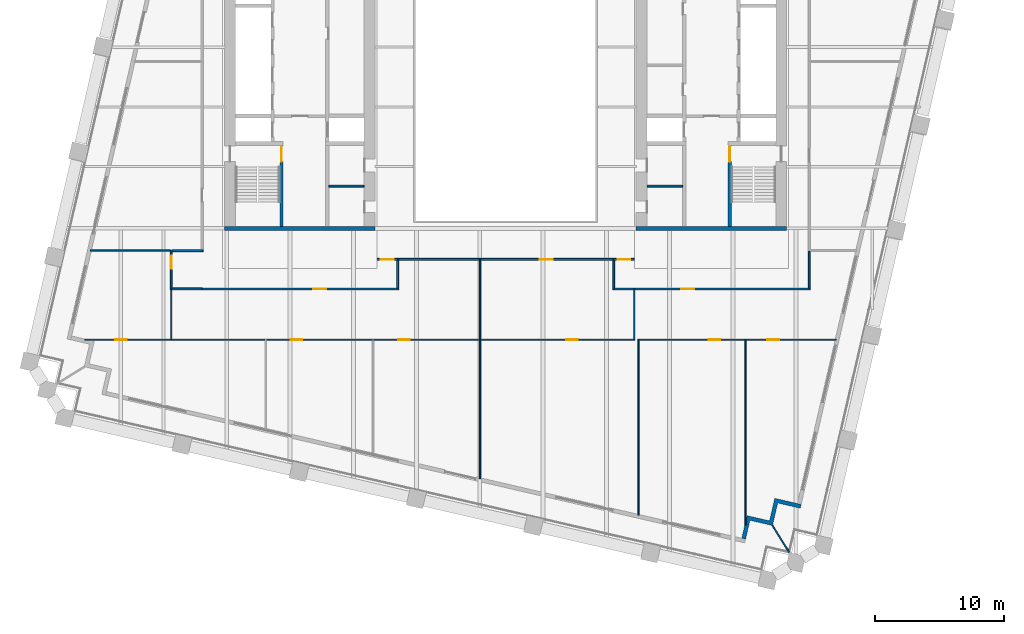
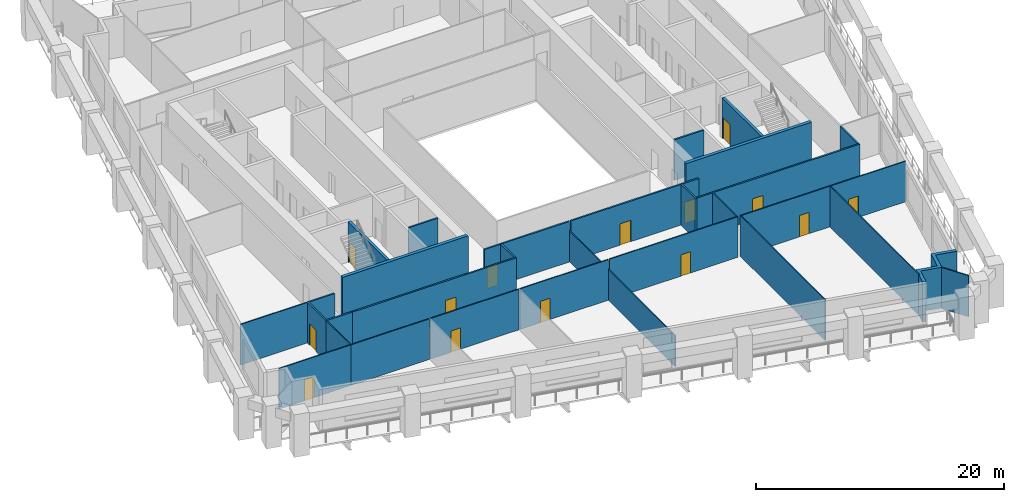
# One storey, part 4 of 10: 35 walls, 14 doors, 14 openings.
"""IFC4 building model written with IfcOpenShell, lengths in metres."""

import ifcopenshell
import ifcopenshell.guid

model = None  # the IFC model being written
_history = None  # IfcOwnerHistory: only IFC2X3 demands one
_inside = {}  # id of a spatial element -> (the spatial element, [elements in it])
_under = {}  # id of a project, library or spatial element -> (it, [spatial elements below it])
_declared = {}  # id of a project -> (the project, [libraries it declares])
_typed = {}  # id of a type object -> (the type object, [elements of that type])
_made_of = {}  # id of a material, layer set ... -> (it, [elements and type objects made of it])


def new_model(schema):
    """Start an empty IFC model of exactly this schema.

    Asked for "IFC4X3", IfcOpenShell would pick the latest addendum, in which some entities
    have other attributes; the version numbers below select the first issue.
    IFC2X3 requires an IfcOwnerHistory on every rooted entity: one is made here for all.
    """
    global model, _history
    if schema == "IFC4X3":
        model = ifcopenshell.file(schema_version=(4, 3, 0, 0))
    else:
        model = ifcopenshell.file(schema=schema)
    _inside.clear()
    _under.clear()
    _declared.clear()
    _typed.clear()
    _made_of.clear()
    _history = None
    if model.schema == "IFC2X3":
        org = make("IfcOrganization", Name="unknown")
        user = make(
            "IfcPersonAndOrganization",
            ThePerson=make("IfcPerson", FamilyName="unknown"),
            TheOrganization=org,
        )
        app = make(
            "IfcApplication",
            ApplicationDeveloper=org,
            Version="unknown",
            ApplicationFullName="unknown",
            ApplicationIdentifier="unknown",
        )
        _history = make(
            "IfcOwnerHistory",
            OwningUser=user,
            OwningApplication=app,
            ChangeAction="ADDED",
            CreationDate=0,
        )
    return model


def make(cls, **values):
    """One entity of the class cls with the attributes given. An attribute that is None is left unset."""
    return model.create_entity(
        cls, **{name: value for name, value in values.items() if value is not None}
    )


def rooted(cls, **values):
    """An entity with a GlobalId (a new one), such as an element, a storey or a relation."""
    return make(cls, GlobalId=ifcopenshell.guid.new(), OwnerHistory=_history, **values)


def si_unit(unit_type, name, prefix=None):
    """IfcSIUnit, for example si_unit("LENGTHUNIT", "METRE", prefix="MILLI")."""
    return make("IfcSIUnit", UnitType=unit_type, Prefix=prefix, Name=name)


def assignment(units):
    """IfcUnitAssignment: the units of a project."""
    return None if units is None else make("IfcUnitAssignment", Units=units)


def point(xyz):
    """IfcCartesianPoint."""
    return None if xyz is None else make("IfcCartesianPoint", Coordinates=xyz)


def direction(xyz):
    """IfcDirection."""
    return None if xyz is None else make("IfcDirection", DirectionRatios=xyz)


def frame(location, z_axis=None, x_axis=None):
    """IfcAxis2Placement3D, a coordinate frame: its origin and axes. An axis left out is left unset."""
    return make(
        "IfcAxis2Placement3D",
        Location=point(location),
        Axis=direction(z_axis),
        RefDirection=direction(x_axis),
    )


def frame_2d(location, x_axis=None):
    """IfcAxis2Placement2D, a coordinate frame in the plane: its origin and x axis."""
    return make(
        "IfcAxis2Placement2D", Location=point(location), RefDirection=direction(x_axis)
    )


def origin():
    """The frame at (0, 0, 0) with its axes left unset."""
    return frame((0.0, 0.0, 0.0))


def place(relative_to, where):
    """IfcLocalPlacement: puts the frame where relative to a parent placement (None: the world)."""
    return make(
        "IfcLocalPlacement", PlacementRelTo=relative_to, RelativePlacement=where
    )


def context(
    kind, dimensions, precision=None, world=None, true_north=None, identifier=None
):
    """IfcGeometricRepresentationContext, for example the 3D "Model" context."""
    return make(
        "IfcGeometricRepresentationContext",
        ContextIdentifier=identifier,
        ContextType=kind,
        CoordinateSpaceDimension=dimensions,
        Precision=precision,
        WorldCoordinateSystem=world,
        TrueNorth=true_north,
    )


def subcontext(parent, identifier, kind, view, scale=None):
    """IfcGeometricRepresentationSubContext, for example "Body" below "Model"."""
    return make(
        "IfcGeometricRepresentationSubContext",
        ContextIdentifier=identifier,
        ContextType=kind,
        ParentContext=parent,
        TargetScale=scale,
        TargetView=view,
    )


def project(units=None, contexts=None):
    """IfcProject with its units and contexts."""
    return rooted(
        "IfcProject",
        Name="project",
        RepresentationContexts=contexts,
        UnitsInContext=assignment(units),
    )


def spatial(cls, under=None, at=None, **own):
    """A site, building, storey or space (cls), placed at a placement, below another one or the project."""
    s = rooted(cls, ObjectPlacement=at, **own)
    if under is not None:
        _under.setdefault(under.id(), (under, []))[1].append(s)
    return s


def polyline(points):
    """IfcPolyline through the points."""
    return make("IfcPolyline", Points=[point(p) for p in points])


def profile(cls, at=None, kind="AREA", **sizes):
    """A parametric profile (cls). Its sizes go by their IFC names, for example OverallWidth=200.0."""
    return make(cls, ProfileType=kind, Position=at, **sizes)


def rectangle(**sizes):
    """IfcRectangleProfileDef."""
    return profile("IfcRectangleProfileDef", **sizes)


def outline(outer, holes=None, kind="AREA"):
    """IfcArbitraryClosedProfileDef: a profile drawn as a closed curve; with holes, ...WithVoids."""
    if holes is None:
        return make("IfcArbitraryClosedProfileDef", ProfileType=kind, OuterCurve=outer)
    return make(
        "IfcArbitraryProfileDefWithVoids",
        ProfileType=kind,
        OuterCurve=outer,
        InnerCurves=holes,
    )


def extrude(swept, where, along, depth):
    """IfcExtrudedAreaSolid: the profile swept, set in the frame where, extruded along a direction by depth."""
    return make(
        "IfcExtrudedAreaSolid",
        SweptArea=swept,
        Position=where,
        ExtrudedDirection=direction(along),
        Depth=depth,
    )


def shape(context_of_items, identifier, shape_type, items):
    """IfcShapeRepresentation: the items that make up one representation, for example the "Body"."""
    return make(
        "IfcShapeRepresentation",
        ContextOfItems=context_of_items,
        RepresentationIdentifier=identifier,
        RepresentationType=shape_type,
        Items=items,
    )


def material(Name=None, Category=None):
    """IfcMaterial."""
    return make("IfcMaterial", Name=Name, Category=Category)


def layer(
    of_material, thickness, ventilated=None, Name=None, Category=None, Priority=None
):
    """IfcMaterialLayer: one layer of a wall or slab, of a material (None: an air gap)."""
    return make(
        "IfcMaterialLayer",
        Material=of_material,
        LayerThickness=thickness,
        IsVentilated=ventilated,
        Name=Name,
        Category=Category,
        Priority=Priority,
    )


def layer_set(layers, Name=None):
    """IfcMaterialLayerSet."""
    return make("IfcMaterialLayerSet", MaterialLayers=layers, LayerSetName=Name)


def made_of(thing, what):
    """Note that an element or type object is made of a material, layer set ...; save() writes the relation."""
    if what is not None:
        _made_of.setdefault(what.id(), (what, []))[1].append(thing)
    return thing


def type_object(cls, material=None, **own):
    """A type object (cls), such as IfcWallType, which elements share."""
    return made_of(rooted(cls, **own), material)


def element(
    cls,
    number,
    at=None,
    inside=None,
    cuts=None,
    type_object=None,
    material=None,
    context=None,
    identifier="Body",
    shape_type=None,
    held_by="IfcProductDefinitionShape",
    body=None,
    shapes=None,
    **own,
):
    """One element of the class cls, such as IfcWall. Its Tag is "e" and its number.

    at: its placement. inside: the storey or other place that contains it. cuts: it is an
    opening in that element (IfcRelVoidsElement). A single representation is given by context,
    identifier, shape_type and body (its items); several are given by shapes. held_by: the class
    of the entity that holds the representations. save() writes the other relations.
    """
    e = rooted(cls, Tag="e%d" % number, ObjectPlacement=at, **own)
    if body is not None:
        shapes = [shape(context, identifier, shape_type, body)]
    if shapes is not None:
        e.Representation = make(held_by, Representations=shapes)
    if inside is not None:
        _inside.setdefault(inside.id(), (inside, []))[1].append(e)
    if cuts is not None:
        rooted(
            "IfcRelVoidsElement", RelatingBuildingElement=cuts, RelatedOpeningElement=e
        )
    if type_object is not None:
        _typed.setdefault(type_object.id(), (type_object, []))[1].append(e)
    return made_of(e, material)


def fill(opening, filler):
    """IfcRelFillsElement: the door or window that sits in an opening."""
    return rooted(
        "IfcRelFillsElement",
        RelatingOpeningElement=opening,
        RelatedBuildingElement=filler,
    )


def aggregate(whole, parts):
    """IfcRelAggregates: a whole, such as a stair, and the parts it consists of."""
    return rooted("IfcRelAggregates", RelatingObject=whole, RelatedObjects=parts)


def save(model, path):
    """Write the relations noted so far, then the file.

    IfcRelAggregates (storeys below a building ...), IfcRelContainedInSpatialStructure (elements
    in a storey), IfcRelDefinesByType, IfcRelAssociatesMaterial and IfcRelDeclares: one each for
    every whole, place, type object, material and project.
    """
    for whole, parts in _under.values():
        aggregate(whole, parts)
    for where, things in _inside.values():
        rooted(
            "IfcRelContainedInSpatialStructure",
            RelatedElements=things,
            RelatingStructure=where,
        )
    for kind, things in _typed.values():
        rooted("IfcRelDefinesByType", RelatedObjects=things, RelatingType=kind)
    for what, things in _made_of.values():
        rooted("IfcRelAssociatesMaterial", RelatedObjects=things, RelatingMaterial=what)
    for by, libraries in _declared.values():
        rooted("IfcRelDeclares", RelatingContext=by, RelatedDefinitions=libraries)
    model.write(path)


model = new_model("IFC4")

# Units and contexts
model_context = context("Model", 3, precision=1e-05, world=origin(), true_north=direction((0.0, 1.0)))
body_context = subcontext(model_context, "Body", "Model", "MODEL_VIEW")
ifc_project = project(units=[si_unit("LENGTHUNIT", "METRE"), si_unit("AREAUNIT", "SQUARE_METRE"), si_unit("VOLUMEUNIT", "CUBIC_METRE"), si_unit("PLANEANGLEUNIT", "RADIAN"), si_unit("MASSUNIT", "GRAM", prefix="KILO")], contexts=[model_context])

# Site, building, storey
site_placement = place(None, origin())
site = spatial("IfcSite", under=ifc_project, at=site_placement, CompositionType="ELEMENT")
building_placement = place(site_placement, origin())
building = spatial("IfcBuilding", under=site, at=building_placement, Name="Ogive Exchange Tower", CompositionType="ELEMENT")
storey_placement = place(building_placement, frame((0.0, 0.0, 143.39990234375)))
storey = spatial("IfcBuildingStorey", under=building, at=storey_placement, Name="L31", CompositionType="ELEMENT", Elevation=143.39990234375)

# Walls
ifc_material_1 = material(Name="Gypsum board partition")
ifc_layer_1 = layer(ifc_material_1, 0.14990234375)
ifc_layer_set_1 = layer_set([ifc_layer_1], Name="Core room partition 150 gypsum")
wall_type_1 = type_object("IfcWallType", Name="Core room partition 150 gypsum", PredefinedType="PARTITIONING", material=ifc_layer_set_1)
for number, where, z_axis, x_axis, name in (
    (1, (-13.75, 0.699951171875, 0.0), (0.0, 0.0, 1.0), (1.0, 0.0, 0.0), "W south room partition"),
    (2, (11.0, 0.699951171875, 0.0), (0.0, 0.0, 1.0), (1.0, 0.0, 0.0), "E south room partition"),
):
    element("IfcWall", number, at=place(storey_placement, frame(where, z_axis=z_axis, x_axis=x_axis)), inside=storey, type_object=wall_type_1, Name=name, PredefinedType="PARTITIONING", context=body_context, shape_type="SweptSolid", body=[
        extrude(rectangle(XDim=2.75, YDim=0.14990234375, at=frame_2d((1.375, 0.0))), origin(), (0.0, 0.0, 1.0), 4.0),
    ])

# Wall, opening, door
ifc_material_2 = material(Name="Fire partition EI 60 150")
ifc_layer_2 = layer(ifc_material_2, 0.14990234375)
ifc_layer_set_2 = layer_set([ifc_layer_2], Name="Fire partition EI 60 150")
wall_type_2 = type_object("IfcWallType", Name="Fire partition EI 60 150", PredefinedType="PARTITIONING", material=ifc_layer_set_2)
wall_1_placement = place(storey_placement, frame((-26.0, -7.364990234375, 0.0), z_axis=(0.0, 0.0, 1.0), x_axis=(0.0, 1.0, 0.0)))
wall_1 = element("IfcWall", 3, at=wall_1_placement, inside=storey, type_object=wall_type_2, Name="L31-PWL-003", PredefinedType="PARTITIONING", context=body_context, shape_type="SweptSolid", body=[
    extrude(rectangle(XDim=3.094970703125, YDim=0.14990234375, at=frame_2d((1.54736328125, 0.0))), origin(), (0.0, 0.0, 1.0), 4.0),
])
opening_1_placement = place(wall_1_placement, frame((1.64501953125, 0.0, 0.0)))
opening_1 = element("IfcOpeningElement", 4, at=opening_1_placement, cuts=wall_1, Name="Opening L31-I16", PredefinedType="OPENING", context=body_context, shape_type="SweptSolid", body=[
    extrude(rectangle(XDim=1.0, YDim=2.10009765625, at=frame_2d((0.5, 1.050048828125))), frame((0.0, 0.0849609375, 0.0), z_axis=(0.0, -1.0, 0.0), x_axis=(1.0, 0.0, 0.0)), (0.0, 0.0, 1.0), 0.169921875),
])
ifc_material_3 = material(Name="Fire door FD 30S 1000 x 2100")
door_type_1 = type_object("IfcDoorType", Name="Fire door FD 30S 1000 x 2100", OperationType="NOTDEFINED", PredefinedType="DOOR", material=ifc_material_3)
door_1_placement = place(opening_1_placement, origin())
door_1 = element("IfcDoor", 5, at=door_1_placement, inside=storey, type_object=door_type_1, Name="L31-IDR-016", ObjectType="DT3", OperationType="SINGLE_SWING_LEFT", OverallHeight=2.10009765625, OverallWidth=1.0, PredefinedType="DOOR", context=body_context, shape_type="SweptSolid", body=[
    extrude(rectangle(XDim=1.0, YDim=2.10009765625, at=frame_2d((0.5, 1.050048828125))), frame((0.0, 0.02490234375, 0.0), z_axis=(0.0, -1.0, 0.0), x_axis=(1.0, 0.0, 0.0)), (0.0, 0.0, 1.0), 0.050048828125),
])
fill(opening_1, door_1)

# Walls
wall_2_placement = place(storey_placement, frame((-25.925048828125, -4.320068359375, 0.0), z_axis=(0.0, 0.0, 1.0), x_axis=(1.0, 0.0, 0.0)))
element("IfcWall", 6, at=wall_2_placement, inside=storey, type_object=wall_type_2, Name="L31-PWL-005", PredefinedType="PARTITIONING", context=body_context, shape_type="SweptSolid", body=[
    extrude(rectangle(XDim=2.400146484375, YDim=0.14990234375, at=frame_2d((1.2001953125, 0.0))), origin(), (0.0, 0.0, 1.0), 4.0),
])
wall_3_placement = place(storey_placement, frame((-23.60009765625, -7.2900390625, 0.0), z_axis=(0.0, 0.0, 1.0), x_axis=(-1.0, 0.0, 0.0)))
element("IfcWall", 7, at=wall_3_placement, inside=storey, type_object=wall_type_2, Name="L31-PWL-007", PredefinedType="PARTITIONING", context=body_context, shape_type="SweptSolid", body=[
    extrude(rectangle(XDim=2.349853515625, YDim=0.14990234375, at=frame_2d((1.1748046875, 0.0))), origin(), (0.0, 0.0, 1.0), 4.0),
])

# Wall, opening, door
wall_4_placement = place(storey_placement, frame((-8.324951171875, -7.300048828125, 0.0), z_axis=(0.0, 0.0, 1.0), x_axis=(-1.0, 0.0, 0.0)))
wall_4 = element("IfcWall", 8, at=wall_4_placement, inside=storey, type_object=wall_type_2, Name="L31-PWL-021", PredefinedType="PARTITIONING", context=body_context, shape_type="SweptSolid", body=[
    extrude(rectangle(XDim=15.275146484375, YDim=0.14990234375, at=frame_2d((7.6376953125, 0.0))), origin(), (0.0, 0.0, 1.0), 4.0),
])
opening_2_placement = place(wall_4_placement, frame((5.625, 0.0, 0.0)))
opening_2 = element("IfcOpeningElement", 9, at=opening_2_placement, cuts=wall_4, Name="Opening L31-I15", PredefinedType="OPENING", context=body_context, shape_type="SweptSolid", body=[
    extrude(rectangle(XDim=1.0, YDim=2.10009765625, at=frame_2d((0.5, 1.050048828125))), frame((0.0, 0.0849609375, 0.0), z_axis=(0.0, -1.0, 0.0), x_axis=(1.0, 0.0, 0.0)), (0.0, 0.0, 1.0), 0.169921875),
])
door_2_placement = place(opening_2_placement, origin())
door_2 = element("IfcDoor", 10, at=door_2_placement, inside=storey, type_object=door_type_1, Name="L31-IDR-015", ObjectType="DT3", OperationType="SINGLE_SWING_LEFT", OverallHeight=2.10009765625, OverallWidth=1.0, PredefinedType="DOOR", context=body_context, shape_type="SweptSolid", body=[
    extrude(rectangle(XDim=1.0, YDim=2.10009765625, at=frame_2d((0.5, 1.050048828125))), frame((0.0, 0.02490234375, 0.0), z_axis=(0.0, -1.0, 0.0), x_axis=(1.0, 0.0, 0.0)), (0.0, 0.0, 1.0), 0.050048828125),
])
fill(opening_2, door_2)

# Walls
wall_5_placement = place(storey_placement, frame((-8.39990234375, -4.925048828125, 0.0), z_axis=(0.0, 0.0, 1.0), x_axis=(0.0, -1.0, 0.0)))
element("IfcWall", 11, at=wall_5_placement, inside=storey, type_object=wall_type_2, Name="L31-PWL-022", PredefinedType="PARTITIONING", context=body_context, shape_type="SweptSolid", body=[
    extrude(rectangle(XDim=2.300048828125, YDim=0.14990234375, at=frame_2d((1.14990234375, 0.0))), origin(), (0.0, 0.0, 1.0), 4.0),
])
wall_6_placement = place(storey_placement, frame((-2.0400390625, -5.0, 0.0), z_axis=(0.0, 0.0, 1.0), x_axis=(-1.0, 0.0, 0.0)))
element("IfcWall", 12, at=wall_6_placement, inside=storey, type_object=wall_type_2, Name="L31-PWL-036", PredefinedType="PARTITIONING", context=body_context, shape_type="SweptSolid", body=[
    extrude(rectangle(XDim=6.284912109375, YDim=0.14990234375, at=frame_2d((3.142578125, 0.0))), origin(), (0.0, 0.0, 1.0), 4.0),
])
wall_7_placement = place(storey_placement, frame((8.39990234375, -7.375, 0.0), z_axis=(0.0, 0.0, 1.0), x_axis=(0.0, 1.0, 0.0)))
element("IfcWall", 13, at=wall_7_placement, inside=storey, type_object=wall_type_2, Name="L31-PWL-041", PredefinedType="PARTITIONING", context=body_context, shape_type="SweptSolid", body=[
    extrude(rectangle(XDim=2.449951171875, YDim=0.14990234375, at=frame_2d((1.22509765625, 0.0))), origin(), (0.0, 0.0, 1.0), 4.0),
])

# Wall, opening, door
wall_8_placement = place(storey_placement, frame((8.324951171875, -5.0, 0.0), z_axis=(0.0, 0.0, 1.0), x_axis=(-1.0, 0.0, 0.0)))
wall_8 = element("IfcWall", 14, at=wall_8_placement, inside=storey, type_object=wall_type_2, Name="L31-PWL-042", PredefinedType="PARTITIONING", context=body_context, shape_type="SweptSolid", body=[
    extrude(rectangle(XDim=10.264892578125, YDim=0.14990234375, at=frame_2d((5.13232421875, 0.0))), origin(), (0.0, 0.0, 1.0), 4.0),
])
opening_3_placement = place(wall_8_placement, frame((4.6650390625, 0.0, 0.0)))
opening_3 = element("IfcOpeningElement", 15, at=opening_3_placement, cuts=wall_8, Name="Opening L31-I14", PredefinedType="OPENING", context=body_context, shape_type="SweptSolid", body=[
    extrude(rectangle(XDim=1.0, YDim=2.10009765625, at=frame_2d((0.5, 1.050048828125))), frame((0.0, 0.0849609375, 0.0), z_axis=(0.0, -1.0, 0.0), x_axis=(1.0, 0.0, 0.0)), (0.0, 0.0, 1.0), 0.169921875),
])
door_3_placement = place(opening_3_placement, origin())
door_3 = element("IfcDoor", 16, at=door_3_placement, inside=storey, type_object=door_type_1, Name="L31-IDR-014", ObjectType="DT3", OperationType="SINGLE_SWING_LEFT", OverallHeight=2.10009765625, OverallWidth=1.0, PredefinedType="DOOR", context=body_context, shape_type="SweptSolid", body=[
    extrude(rectangle(XDim=1.0, YDim=2.10009765625, at=frame_2d((0.5, 1.050048828125))), frame((0.0, 0.02490234375, 0.0), z_axis=(0.0, -1.0, 0.0), x_axis=(1.0, 0.0, 0.0)), (0.0, 0.0, 1.0), 0.050048828125),
])
fill(opening_3, door_3)

# Wall
wall_9_placement = place(storey_placement, frame((9.949951171875, -7.300048828125, 0.0), z_axis=(0.0, 0.0, 1.0), x_axis=(-1.0, 0.0, 0.0)))
element("IfcWall", 17, at=wall_9_placement, inside=storey, type_object=wall_type_2, Name="L31-PWL-048", PredefinedType="PARTITIONING", context=body_context, shape_type="SweptSolid", body=[
    extrude(rectangle(XDim=1.474853515625, YDim=0.14990234375, at=frame_2d((0.7373046875, 0.0))), origin(), (0.0, 0.0, 1.0), 4.0),
])

# Wall, opening, door
wall_10_placement = place(storey_placement, frame((23.675048828125, -7.300048828125, 0.0), z_axis=(0.0, 0.0, 1.0), x_axis=(-1.0, 0.0, 0.0)))
wall_10 = element("IfcWall", 18, at=wall_10_placement, inside=storey, type_object=wall_type_2, Name="L31-PWL-054", PredefinedType="PARTITIONING", context=body_context, shape_type="SweptSolid", body=[
    extrude(rectangle(XDim=13.625, YDim=0.14990234375, at=frame_2d((6.8125, 0.0))), origin(), (0.0, 0.0, 1.0), 4.0),
])
opening_4_placement = place(wall_10_placement, frame((9.02490234375, 0.0, 0.0)))
opening_4 = element("IfcOpeningElement", 19, at=opening_4_placement, cuts=wall_10, Name="Opening L31-I13", PredefinedType="OPENING", context=body_context, shape_type="SweptSolid", body=[
    extrude(rectangle(XDim=1.0, YDim=2.10009765625, at=frame_2d((0.5, 1.050048828125))), frame((0.0, 0.0849609375, 0.0), z_axis=(0.0, -1.0, 0.0), x_axis=(1.0, 0.0, 0.0)), (0.0, 0.0, 1.0), 0.169921875),
])
door_4_placement = place(opening_4_placement, origin())
door_4 = element("IfcDoor", 20, at=door_4_placement, inside=storey, type_object=door_type_1, Name="L31-IDR-013", ObjectType="DT3", OperationType="SINGLE_SWING_LEFT", OverallHeight=2.10009765625, OverallWidth=1.0, PredefinedType="DOOR", context=body_context, shape_type="SweptSolid", body=[
    extrude(rectangle(XDim=1.0, YDim=2.10009765625, at=frame_2d((0.5, 1.050048828125))), frame((0.0, 0.02490234375, 0.0), z_axis=(0.0, -1.0, 0.0), x_axis=(1.0, 0.0, 0.0)), (0.0, 0.0, 1.0), 0.050048828125),
])
fill(opening_4, door_4)

# Wall
wall_11_placement = place(storey_placement, frame((23.60009765625, -4.3701171875, 0.0), z_axis=(0.0, 0.0, 1.0), x_axis=(0.0, -1.0, 0.0)))
element("IfcWall", 21, at=wall_11_placement, inside=storey, type_object=wall_type_2, Name="L31-PWL-055", PredefinedType="PARTITIONING", context=body_context, shape_type="SweptSolid", body=[
    extrude(rectangle(XDim=2.85498046875, YDim=0.14990234375, at=frame_2d((1.427490234375, 0.0))), origin(), (0.0, 0.0, 1.0), 4.0),
])

# Wall, opening, door
wall_12_placement = place(storey_placement, frame((-8.39990234375, -5.0, 0.0), z_axis=(0.0, 0.0, 1.0), x_axis=(-1.0, 0.0, 0.0)))
wall_12 = element("IfcWall", 22, at=wall_12_placement, inside=storey, type_object=wall_type_2, Name="L31-PWL-065", PredefinedType="PARTITIONING", context=body_context, shape_type="SweptSolid", body=[
    extrude(rectangle(XDim=1.60009765625, YDim=0.14990234375, at=frame_2d((0.800048828125, 0.0))), origin(), (0.0, 0.0, 1.0), 4.0),
])
opening_5_placement = place(wall_12_placement, frame((0.300048828125, 0.0, 0.0)))
opening_5 = element("IfcOpeningElement", 23, at=opening_5_placement, cuts=wall_12, Name="Opening L31-I24", PredefinedType="OPENING", context=body_context, shape_type="SweptSolid", body=[
    extrude(rectangle(XDim=1.0, YDim=2.10009765625, at=frame_2d((0.5, 1.050048828125))), frame((0.0, 0.0849609375, 0.0), z_axis=(0.0, -1.0, 0.0), x_axis=(1.0, 0.0, 0.0)), (0.0, 0.0, 1.0), 0.169921875),
])
door_5_placement = place(opening_5_placement, origin())
door_5 = element("IfcDoor", 24, at=door_5_placement, inside=storey, type_object=door_type_1, Name="L31-IDR-024", ObjectType="DT3", OperationType="SINGLE_SWING_RIGHT", OverallHeight=2.10009765625, OverallWidth=1.0, PredefinedType="DOOR", context=body_context, shape_type="SweptSolid", body=[
    extrude(rectangle(XDim=1.0, YDim=2.10009765625, at=frame_2d((0.5, 1.050048828125))), frame((0.0, 0.02490234375, 0.0), z_axis=(0.0, -1.0, 0.0), x_axis=(1.0, 0.0, 0.0)), (0.0, 0.0, 1.0), 0.050048828125),
])
fill(opening_5, door_5)

wall_13_placement = place(storey_placement, frame((10.0, -5.0, 0.0), z_axis=(0.0, 0.0, 1.0), x_axis=(-1.0, 0.0, 0.0)))
wall_13 = element("IfcWall", 25, at=wall_13_placement, inside=storey, type_object=wall_type_2, Name="L31-PWL-067", PredefinedType="PARTITIONING", context=body_context, shape_type="SweptSolid", body=[
    extrude(rectangle(XDim=1.60009765625, YDim=0.14990234375, at=frame_2d((0.800048828125, 0.0))), origin(), (0.0, 0.0, 1.0), 4.0),
])
opening_6_placement = place(wall_13_placement, frame((0.300048828125, 0.0, 0.0)))
opening_6 = element("IfcOpeningElement", 26, at=opening_6_placement, cuts=wall_13, Name="Opening L31-I26", PredefinedType="OPENING", context=body_context, shape_type="SweptSolid", body=[
    extrude(rectangle(XDim=1.0, YDim=2.10009765625, at=frame_2d((0.5, 1.050048828125))), frame((0.0, 0.0849609375, 0.0), z_axis=(0.0, -1.0, 0.0), x_axis=(1.0, 0.0, 0.0)), (0.0, 0.0, 1.0), 0.169921875),
])
door_6_placement = place(opening_6_placement, origin())
door_6 = element("IfcDoor", 27, at=door_6_placement, inside=storey, type_object=door_type_1, Name="L31-IDR-026", ObjectType="DT3", OperationType="SINGLE_SWING_LEFT", OverallHeight=2.10009765625, OverallWidth=1.0, PredefinedType="DOOR", context=body_context, shape_type="SweptSolid", body=[
    extrude(rectangle(XDim=1.0, YDim=2.10009765625, at=frame_2d((0.5, 1.050048828125))), frame((0.0, 0.02490234375, 0.0), z_axis=(0.0, -1.0, 0.0), x_axis=(1.0, 0.0, 0.0)), (0.0, 0.0, 1.0), 0.050048828125),
])
fill(opening_6, door_6)

# Walls
ifc_material_4 = material(Name="Precast concrete C40/50", Category="concrete")
ifc_layer_3 = layer(ifc_material_4, 0.300048828125)
ifc_layer_set_3 = layer_set([ifc_layer_3], Name="Limestone-faced wall 300")
wall_type_3 = type_object("IfcWallType", Name="Limestone-faced wall 300", PredefinedType="STANDARD", material=ifc_layer_set_3)
wall_14_placement = place(storey_placement, origin())
element("IfcWall", 28, at=wall_14_placement, inside=storey, type_object=wall_type_3, Name="External corner wall C1", PredefinedType="STANDARD", context=body_context, shape_type="SweptSolid", body=[
    extrude(outline(polyline([(20.515380859375, -25.330810546875), (20.92041015625, -23.576904296875), (22.966552734375, -24.04931640625), (22.89892578125, -24.341552734375), (21.145263671875, -23.936767578125), (20.740234375, -25.690673828125), (18.986328125, -25.28564453125), (18.64892578125, -26.747314453125), (18.356689453125, -26.6796875), (18.76171875, -24.92578125), (20.515380859375, -25.330810546875)])), origin(), (0.0, 0.0, 1.0), 4.0),
])
ifc_material_5 = material(Name="Laminated safety glass in steel frame", Category="steel")
ifc_layer_4 = layer(ifc_material_5, 0.10009765625)
ifc_layer_set_4 = layer_set([ifc_layer_4], Name="Loggia end screen 100")
wall_type_4 = type_object("IfcWallType", Name="Loggia end screen 100", PredefinedType="STANDARD", material=ifc_layer_set_4)
wall_15_placement = place(storey_placement, frame((20.740234375, -25.690673828125, -0.0498046875), z_axis=(0.0, 0.0, 1.0), x_axis=(0.529972121605, -0.848015064914, 0.0)))
element("IfcWall", 29, at=wall_15_placement, inside=storey, type_object=wall_type_4, Name="Loggia end screen C1", PredefinedType="STANDARD", context=body_context, shape_type="SweptSolid", body=[
    extrude(rectangle(XDim=2.454833984375, YDim=0.10009765625, at=frame_2d((1.2275390625, 0.0))), origin(), (0.0, 0.0, 1.0), 4.0498046875),
])

# Wall, opening, door
ifc_material_6 = material(Name="Partition 100 gypsum")
ifc_layer_5 = layer(ifc_material_6, 0.10009765625)
ifc_layer_set_5 = layer_set([ifc_layer_5], Name="Partition 100 gypsum")
wall_type_5 = type_object("IfcWallType", Name="Partition 100 gypsum", PredefinedType="PARTITIONING", material=ifc_layer_set_5)
wall_16_placement = place(storey_placement, frame((-26.0, -11.25, 0.0), z_axis=(0.0, 0.0, 1.0), x_axis=(-1.0, 0.0, 0.0)))
wall_16 = element("IfcWall", 30, at=wall_16_placement, inside=storey, type_object=wall_type_5, Name="L31-PWL-001", PredefinedType="PARTITIONING", context=body_context, shape_type="SweptSolid", body=[
    extrude(rectangle(XDim=6.718017578125, YDim=0.10009765625, at=frame_2d((3.35888671875, 0.0))), origin(), (0.0, 0.0, 1.0), 4.0),
])
opening_7_placement = place(wall_16_placement, frame((3.449951171875, 0.0, 0.0)))
opening_7 = element("IfcOpeningElement", 31, at=opening_7_placement, cuts=wall_16, Name="Opening L31-I22", PredefinedType="OPENING", context=body_context, shape_type="SweptSolid", body=[
    extrude(rectangle(XDim=0.89990234375, YDim=2.10009765625, at=frame_2d((0.449951171875, 1.050048828125))), frame((0.0, 0.06005859375, 0.0), z_axis=(0.0, -1.0, 0.0), x_axis=(1.0, 0.0, 0.0)), (0.0, 0.0, 1.0), 0.1201171875),
])
ifc_material_7 = material(Name="Door 900 x 2100")
door_type_2 = type_object("IfcDoorType", Name="Door 900 x 2100", OperationType="NOTDEFINED", PredefinedType="DOOR", material=ifc_material_7)
door_7_placement = place(opening_7_placement, frame((0.89990234375, 0.0, 0.0), z_axis=(0.0, 0.0, 1.0), x_axis=(-1.0, 0.0, 0.0)))
door_7 = element("IfcDoor", 32, at=door_7_placement, inside=storey, type_object=door_type_2, Name="L31-IDR-022", ObjectType="DT1", OperationType="SINGLE_SWING_RIGHT", OverallHeight=2.10009765625, OverallWidth=0.89990234375, PredefinedType="DOOR", context=body_context, shape_type="SweptSolid", body=[
    extrude(rectangle(XDim=0.89990234375, YDim=2.10009765625, at=frame_2d((0.449951171875, 1.050048828125))), frame((0.0, 0.02490234375, 0.0), z_axis=(0.0, -1.0, 0.0), x_axis=(1.0, 0.0, 0.0)), (0.0, 0.0, 1.0), 0.050048828125),
])
fill(opening_7, door_7)

# Walls
wall_17_placement = place(storey_placement, frame((-26.0, -11.199951171875, 0.0), z_axis=(0.0, 0.0, 1.0), x_axis=(0.0, 1.0, 0.0)))
element("IfcWall", 33, at=wall_17_placement, inside=storey, type_object=wall_type_5, Name="L31-PWL-002", PredefinedType="PARTITIONING", context=body_context, shape_type="SweptSolid", body=[
    extrude(rectangle(XDim=3.8349609375, YDim=0.10009765625, at=frame_2d((1.91748046875, 0.0))), origin(), (0.0, 0.0, 1.0), 4.0),
])
wall_18_placement = place(storey_placement, frame((-26.074951171875, -4.320068359375, 0.0), z_axis=(0.0, 0.0, 1.0), x_axis=(-1.0, 0.0, 0.0)))
element("IfcWall", 34, at=wall_18_placement, inside=storey, type_object=wall_type_5, Name="L31-PWL-004", PredefinedType="PARTITIONING", context=body_context, shape_type="SweptSolid", body=[
    extrude(rectangle(XDim=6.217041015625, YDim=0.10009765625, at=frame_2d((3.1083984375, 0.0))), origin(), (0.0, 0.0, 1.0), 4.0),
])
wall_19_placement = place(storey_placement, frame((-18.699951171875, -11.25, 0.0), z_axis=(0.0, 0.0, 1.0), x_axis=(-1.0, 0.0, 0.0)))
element("IfcWall", 35, at=wall_19_placement, inside=storey, type_object=wall_type_5, Name="L31-PWL-014", PredefinedType="PARTITIONING", context=body_context, shape_type="SweptSolid", body=[
    extrude(rectangle(XDim=7.300048828125, YDim=0.10009765625, at=frame_2d((3.64990234375, 0.0))), origin(), (0.0, 0.0, 1.0), 4.0),
])

# Wall, opening, door
wall_20_placement = place(storey_placement, frame((-10.3701171875, -11.25, 0.0), z_axis=(0.0, 0.0, 1.0), x_axis=(-1.0, 0.0, 0.0)))
wall_20 = element("IfcWall", 36, at=wall_20_placement, inside=storey, type_object=wall_type_5, Name="L31-PWL-020", PredefinedType="PARTITIONING", context=body_context, shape_type="SweptSolid", body=[
    extrude(rectangle(XDim=8.22998046875, YDim=0.10009765625, at=frame_2d((4.114990234375, 0.0))), origin(), (0.0, 0.0, 1.0), 4.0),
])
opening_8_placement = place(wall_20_placement, frame((5.429931640625, 0.0, 0.0)))
opening_8 = element("IfcOpeningElement", 37, at=opening_8_placement, cuts=wall_20, Name="Opening L31-I21", PredefinedType="OPENING", context=body_context, shape_type="SweptSolid", body=[
    extrude(rectangle(XDim=0.89990234375, YDim=2.10009765625, at=frame_2d((0.449951171875, 1.050048828125))), frame((0.0, 0.06005859375, 0.0), z_axis=(0.0, -1.0, 0.0), x_axis=(1.0, 0.0, 0.0)), (0.0, 0.0, 1.0), 0.1201171875),
])
door_8_placement = place(opening_8_placement, origin())
door_8 = element("IfcDoor", 38, at=door_8_placement, inside=storey, type_object=door_type_2, Name="L31-IDR-021", ObjectType="DT1", OperationType="SINGLE_SWING_LEFT", OverallHeight=2.10009765625, OverallWidth=0.89990234375, PredefinedType="DOOR", context=body_context, shape_type="SweptSolid", body=[
    extrude(rectangle(XDim=0.89990234375, YDim=2.10009765625, at=frame_2d((0.449951171875, 1.050048828125))), frame((0.0, 0.02490234375, 0.0), z_axis=(0.0, -1.0, 0.0), x_axis=(1.0, 0.0, 0.0)), (0.0, 0.0, 1.0), 0.050048828125),
])
fill(opening_8, door_8)

# Wall
wall_21_placement = place(storey_placement, frame((-1.989990234375, -22.06494140625, 0.0), z_axis=(0.0, 0.0, 1.0), x_axis=(0.0, 1.0, 0.0)))
element("IfcWall", 39, at=wall_21_placement, inside=storey, type_object=wall_type_5, Name="L31-PWL-033", PredefinedType="PARTITIONING", context=body_context, shape_type="SweptSolid", body=[
    extrude(rectangle(XDim=10.864990234375, YDim=0.10009765625, at=frame_2d((5.4326171875, 0.0))), origin(), (0.0, 0.0, 1.0), 3.02001953125),
])

# Wall, opening, door
wall_22_placement = place(storey_placement, frame((-2.0400390625, -11.25, 0.0), z_axis=(0.0, 0.0, 1.0), x_axis=(-1.0, 0.0, 0.0)))
wall_22 = element("IfcWall", 40, at=wall_22_placement, inside=storey, type_object=wall_type_5, Name="L31-PWL-034", PredefinedType="PARTITIONING", context=body_context, shape_type="SweptSolid", body=[
    extrude(rectangle(XDim=8.22998046875, YDim=0.10009765625, at=frame_2d((4.114990234375, 0.0))), origin(), (0.0, 0.0, 1.0), 4.0),
])
opening_9_placement = place(wall_22_placement, frame((5.429931640625, 0.0, 0.0)))
opening_9 = element("IfcOpeningElement", 41, at=opening_9_placement, cuts=wall_22, Name="Opening L31-I20", PredefinedType="OPENING", context=body_context, shape_type="SweptSolid", body=[
    extrude(rectangle(XDim=0.89990234375, YDim=2.10009765625, at=frame_2d((0.449951171875, 1.050048828125))), frame((0.0, 0.06005859375, 0.0), z_axis=(0.0, -1.0, 0.0), x_axis=(1.0, 0.0, 0.0)), (0.0, 0.0, 1.0), 0.1201171875),
])
door_9_placement = place(opening_9_placement, origin())
door_9 = element("IfcDoor", 42, at=door_9_placement, inside=storey, type_object=door_type_2, Name="L31-IDR-020", ObjectType="DT1", OperationType="SINGLE_SWING_LEFT", OverallHeight=2.10009765625, OverallWidth=0.89990234375, PredefinedType="DOOR", context=body_context, shape_type="SweptSolid", body=[
    extrude(rectangle(XDim=0.89990234375, YDim=2.10009765625, at=frame_2d((0.449951171875, 1.050048828125))), frame((0.0, 0.02490234375, 0.0), z_axis=(0.0, -1.0, 0.0), x_axis=(1.0, 0.0, 0.0)), (0.0, 0.0, 1.0), 0.050048828125),
])
fill(opening_9, door_9)

# Wall
wall_23_placement = place(storey_placement, frame((-1.989990234375, -11.199951171875, 0.0), z_axis=(0.0, 0.0, 1.0), x_axis=(0.0, 1.0, 0.0)))
element("IfcWall", 43, at=wall_23_placement, inside=storey, type_object=wall_type_5, Name="L31-PWL-035", PredefinedType="PARTITIONING", context=body_context, shape_type="SweptSolid", body=[
    extrude(rectangle(XDim=6.27490234375, YDim=0.10009765625, at=frame_2d((3.137451171875, 0.0))), origin(), (0.0, 0.0, 1.0), 3.02001953125),
])

# Wall, opening, door
wall_24_placement = place(storey_placement, frame((10.050048828125, -11.25, 0.0), z_axis=(0.0, 0.0, 1.0), x_axis=(-1.0, 0.0, 0.0)))
wall_24 = element("IfcWall", 44, at=wall_24_placement, inside=storey, type_object=wall_type_5, Name="L31-PWL-046", PredefinedType="PARTITIONING", context=body_context, shape_type="SweptSolid", body=[
    extrude(rectangle(XDim=11.989990234375, YDim=0.10009765625, at=frame_2d((5.9951171875, 0.0))), origin(), (0.0, 0.0, 1.0), 4.0),
])
opening_10_placement = place(wall_24_placement, frame((4.43994140625, 0.0, 0.0)))
opening_10 = element("IfcOpeningElement", 45, at=opening_10_placement, cuts=wall_24, Name="Opening L31-I19", PredefinedType="OPENING", context=body_context, shape_type="SweptSolid", body=[
    extrude(rectangle(XDim=0.89990234375, YDim=2.10009765625, at=frame_2d((0.449951171875, 1.050048828125))), frame((0.0, 0.06005859375, 0.0), z_axis=(0.0, -1.0, 0.0), x_axis=(1.0, 0.0, 0.0)), (0.0, 0.0, 1.0), 0.1201171875),
])
door_10_placement = place(opening_10_placement, frame((0.89990234375, 0.0, 0.0), z_axis=(0.0, 0.0, 1.0), x_axis=(-1.0, 0.0, 0.0)))
door_10 = element("IfcDoor", 46, at=door_10_placement, inside=storey, type_object=door_type_2, Name="L31-IDR-019", ObjectType="DT1", OperationType="SINGLE_SWING_LEFT", OverallHeight=2.10009765625, OverallWidth=0.89990234375, PredefinedType="DOOR", context=body_context, shape_type="SweptSolid", body=[
    extrude(rectangle(XDim=0.89990234375, YDim=2.10009765625, at=frame_2d((0.449951171875, 1.050048828125))), frame((0.0, 0.02490234375, 0.0), z_axis=(0.0, -1.0, 0.0), x_axis=(1.0, 0.0, 0.0)), (0.0, 0.0, 1.0), 0.050048828125),
])
fill(opening_10, door_10)

# Walls
wall_25_placement = place(storey_placement, frame((10.0, -11.199951171875, 0.0), z_axis=(0.0, 0.0, 1.0), x_axis=(0.0, 1.0, 0.0)))
element("IfcWall", 47, at=wall_25_placement, inside=storey, type_object=wall_type_5, Name="L31-PWL-047", PredefinedType="PARTITIONING", context=body_context, shape_type="SweptSolid", body=[
    extrude(rectangle(XDim=3.974853515625, YDim=0.10009765625, at=frame_2d((1.9873046875, 0.0))), origin(), (0.0, 0.0, 1.0), 4.0),
])
wall_26_placement = place(storey_placement, frame((10.320068359375, -24.906982421875, 0.0), z_axis=(0.0, 0.0, 1.0), x_axis=(0.0, 1.0, 0.0)))
element("IfcWall", 48, at=wall_26_placement, inside=storey, type_object=wall_type_5, Name="L31-PWL-049", PredefinedType="PARTITIONING", context=body_context, shape_type="SweptSolid", body=[
    extrude(rectangle(XDim=13.70703125, YDim=0.10009765625, at=frame_2d((6.853515625, 0.0))), origin(), (0.0, 0.0, 1.0), 4.0),
])
wall_27_placement = place(storey_placement, frame((18.64990234375, -25.654052734375, 0.0), z_axis=(0.0, 0.0, 1.0), x_axis=(0.0, 1.0, 0.0)))
element("IfcWall", 49, at=wall_27_placement, inside=storey, type_object=wall_type_5, Name="L31-PWL-050", PredefinedType="PARTITIONING", context=body_context, shape_type="SweptSolid", body=[
    extrude(rectangle(XDim=14.4541015625, YDim=0.10009765625, at=frame_2d((7.22705078125, 0.0))), origin(), (0.0, 0.0, 1.0), 4.0),
])

# Wall, opening, door
wall_28_placement = place(storey_placement, frame((18.60009765625, -11.25, 0.0), z_axis=(0.0, 0.0, 1.0), x_axis=(-1.0, 0.0, 0.0)))
wall_28 = element("IfcWall", 50, at=wall_28_placement, inside=storey, type_object=wall_type_5, Name="L31-PWL-051", PredefinedType="PARTITIONING", context=body_context, shape_type="SweptSolid", body=[
    extrude(rectangle(XDim=8.22998046875, YDim=0.10009765625, at=frame_2d((4.114990234375, 0.0))), origin(), (0.0, 0.0, 1.0), 4.0),
])
opening_11_placement = place(wall_28_placement, frame((1.929931640625, 0.0, 0.0)))
opening_11 = element("IfcOpeningElement", 51, at=opening_11_placement, cuts=wall_28, Name="Opening L31-I18", PredefinedType="OPENING", context=body_context, shape_type="SweptSolid", body=[
    extrude(rectangle(XDim=0.89990234375, YDim=2.10009765625, at=frame_2d((0.449951171875, 1.050048828125))), frame((0.0, 0.06005859375, 0.0), z_axis=(0.0, -1.0, 0.0), x_axis=(1.0, 0.0, 0.0)), (0.0, 0.0, 1.0), 0.1201171875),
])
door_11_placement = place(opening_11_placement, frame((0.89990234375, 0.0, 0.0), z_axis=(0.0, 0.0, 1.0), x_axis=(-1.0, 0.0, 0.0)))
door_11 = element("IfcDoor", 52, at=door_11_placement, inside=storey, type_object=door_type_2, Name="L31-IDR-018", ObjectType="DT1", OperationType="SINGLE_SWING_LEFT", OverallHeight=2.10009765625, OverallWidth=0.89990234375, PredefinedType="DOOR", context=body_context, shape_type="SweptSolid", body=[
    extrude(rectangle(XDim=0.89990234375, YDim=2.10009765625, at=frame_2d((0.449951171875, 1.050048828125))), frame((0.0, 0.02490234375, 0.0), z_axis=(0.0, -1.0, 0.0), x_axis=(1.0, 0.0, 0.0)), (0.0, 0.0, 1.0), 0.050048828125),
])
fill(opening_11, door_11)

wall_29_placement = place(storey_placement, frame((25.696044921875, -11.25, 0.0), z_axis=(0.0, 0.0, 1.0), x_axis=(-1.0, 0.0, 0.0)))
wall_29 = element("IfcWall", 53, at=wall_29_placement, inside=storey, type_object=wall_type_5, Name="L31-PWL-060", PredefinedType="PARTITIONING", context=body_context, shape_type="SweptSolid", body=[
    extrude(rectangle(XDim=6.99609375, YDim=0.10009765625, at=frame_2d((3.498046875, 0.0))), origin(), (0.0, 0.0, 1.0), 4.0),
])
opening_12_placement = place(wall_29_placement, frame((4.446044921875, 0.0, 0.0)))
opening_12 = element("IfcOpeningElement", 54, at=opening_12_placement, cuts=wall_29, Name="Opening L31-I17", PredefinedType="OPENING", context=body_context, shape_type="SweptSolid", body=[
    extrude(rectangle(XDim=0.89990234375, YDim=2.10009765625, at=frame_2d((0.449951171875, 1.050048828125))), frame((0.0, 0.06005859375, 0.0), z_axis=(0.0, -1.0, 0.0), x_axis=(1.0, 0.0, 0.0)), (0.0, 0.0, 1.0), 0.1201171875),
])
door_12_placement = place(opening_12_placement, frame((0.89990234375, 0.0, 0.0), z_axis=(0.0, 0.0, 1.0), x_axis=(-1.0, 0.0, 0.0)))
door_12 = element("IfcDoor", 55, at=door_12_placement, inside=storey, type_object=door_type_2, Name="L31-IDR-017", ObjectType="DT1", OperationType="SINGLE_SWING_RIGHT", OverallHeight=2.10009765625, OverallWidth=0.89990234375, PredefinedType="DOOR", context=body_context, shape_type="SweptSolid", body=[
    extrude(rectangle(XDim=0.89990234375, YDim=2.10009765625, at=frame_2d((0.449951171875, 1.050048828125))), frame((0.0, 0.02490234375, 0.0), z_axis=(0.0, -1.0, 0.0), x_axis=(1.0, 0.0, 0.0)), (0.0, 0.0, 1.0), 0.050048828125),
])
fill(opening_12, door_12)

ifc_material_8 = material(Name="Concrete C70/85", Category="concrete")
ifc_layer_6 = layer(ifc_material_8, 0.25)
ifc_layer_set_6 = layer_set([ifc_layer_6], Name="RC core wall 250 C70/85")
wall_type_6 = type_object("IfcWallType", Name="RC core wall 250 C70/85", PredefinedType="SHEAR", material=ifc_layer_set_6)
wall_30_placement = place(storey_placement, frame((-17.425048828125, -2.449951171875, 0.0), z_axis=(0.0, 0.0, 1.0), x_axis=(0.0, 1.0, 0.0)))
wall_30 = element("IfcWall", 56, at=wall_30_placement, inside=storey, type_object=wall_type_6, Name="W stair S front wall", PredefinedType="SHEAR", context=body_context, shape_type="SweptSolid", body=[
    extrude(rectangle(XDim=6.300048828125, YDim=0.25, at=frame_2d((3.14990234375, 0.0))), origin(), (0.0, 0.0, 1.0), 4.0),
])
opening_13_placement = place(wall_30_placement, frame((5.050048828125, 0.0, 0.0)))
opening_13 = element("IfcOpeningElement", 57, at=opening_13_placement, cuts=wall_30, Name="Opening L31-C12", PredefinedType="OPENING", context=body_context, shape_type="SweptSolid", body=[
    extrude(rectangle(XDim=1.199951171875, YDim=2.10009765625, at=frame_2d((0.60009765625, 1.050048828125))), frame((0.0, 0.135009765625, 0.0), z_axis=(0.0, -1.0, 0.0), x_axis=(1.0, 0.0, 0.0)), (0.0, 0.0, 1.0), 0.27001953125),
])
ifc_material_9 = material(Name="Steel fire door", Category="steel")
door_type_3 = type_object("IfcDoorType", Name="Stair door FD90 1200 x 2100", OperationType="NOTDEFINED", PredefinedType="DOOR", material=ifc_material_9)
door_13_placement = place(opening_13_placement, origin())
door_13 = element("IfcDoor", 58, at=door_13_placement, inside=storey, type_object=door_type_3, Name="Stair door", ObjectType="CD5", OperationType="SINGLE_SWING_LEFT", OverallHeight=2.10009765625, OverallWidth=1.199951171875, PredefinedType="DOOR", context=body_context, shape_type="SweptSolid", body=[
    extrude(rectangle(XDim=1.199951171875, YDim=2.10009765625, at=frame_2d((0.60009765625, 1.050048828125))), frame((0.0, 0.02490234375, 0.0), z_axis=(0.0, -1.0, 0.0), x_axis=(1.0, 0.0, 0.0)), (0.0, 0.0, 1.0), 0.050048828125),
])
fill(opening_13, door_13)

wall_31_placement = place(storey_placement, frame((17.425048828125, -2.449951171875, 0.0), z_axis=(0.0, 0.0, 1.0), x_axis=(0.0, 1.0, 0.0)))
wall_31 = element("IfcWall", 59, at=wall_31_placement, inside=storey, type_object=wall_type_6, Name="E stair S front wall", PredefinedType="SHEAR", context=body_context, shape_type="SweptSolid", body=[
    extrude(rectangle(XDim=6.300048828125, YDim=0.25, at=frame_2d((3.14990234375, 0.0))), origin(), (0.0, 0.0, 1.0), 4.0),
])
opening_14_placement = place(wall_31_placement, frame((5.050048828125, 0.0, 0.0)))
opening_14 = element("IfcOpeningElement", 60, at=opening_14_placement, cuts=wall_31, Name="Opening L31-C30", PredefinedType="OPENING", context=body_context, shape_type="SweptSolid", body=[
    extrude(rectangle(XDim=1.199951171875, YDim=2.10009765625, at=frame_2d((0.60009765625, 1.050048828125))), frame((0.0, 0.135009765625, 0.0), z_axis=(0.0, -1.0, 0.0), x_axis=(1.0, 0.0, 0.0)), (0.0, 0.0, 1.0), 0.27001953125),
])
door_14_placement = place(opening_14_placement, frame((1.199951171875, 0.0, 0.0), z_axis=(0.0, 0.0, 1.0), x_axis=(-1.0, 0.0, 0.0)))
door_14 = element("IfcDoor", 61, at=door_14_placement, inside=storey, type_object=door_type_3, Name="Stair door", ObjectType="CD5", OperationType="SINGLE_SWING_RIGHT", OverallHeight=2.10009765625, OverallWidth=1.199951171875, PredefinedType="DOOR", context=body_context, shape_type="SweptSolid", body=[
    extrude(rectangle(XDim=1.199951171875, YDim=2.10009765625, at=frame_2d((0.60009765625, 1.050048828125))), frame((0.0, 0.02490234375, 0.0), z_axis=(0.0, -1.0, 0.0), x_axis=(1.0, 0.0, 0.0)), (0.0, 0.0, 1.0), 0.050048828125),
])
fill(opening_14, door_14)

# Walls
ifc_layer_7 = layer(ifc_material_8, 0.300048828125)
ifc_layer_set_7 = layer_set([ifc_layer_7], Name="RC core wall 300 C70/85")
wall_type_7 = type_object("IfcWallType", Name="RC core wall 300 C70/85", PredefinedType="SHEAR", material=ifc_layer_set_7)
for number, where, z_axis, x_axis, name in (
    (62, (-21.85009765625, -2.60009765625, 0.0), (0.0, 0.0, 1.0), (1.0, 0.0, 0.0), "W south end wall"),
    (63, (10.14990234375, -2.60009765625, 0.0), (0.0, 0.0, 1.0), (1.0, 0.0, 0.0), "E south end wall"),
):
    element("IfcWall", number, at=place(storey_placement, frame(where, z_axis=z_axis, x_axis=x_axis)), inside=storey, type_object=wall_type_7, Name=name, PredefinedType="SHEAR", context=body_context, shape_type="SweptSolid", body=[
        extrude(rectangle(XDim=11.7001953125, YDim=0.300048828125, at=frame_2d((5.85009765625, 0.0))), origin(), (0.0, 0.0, 1.0), 4.0),
    ])

save(model, "model.ifc")
